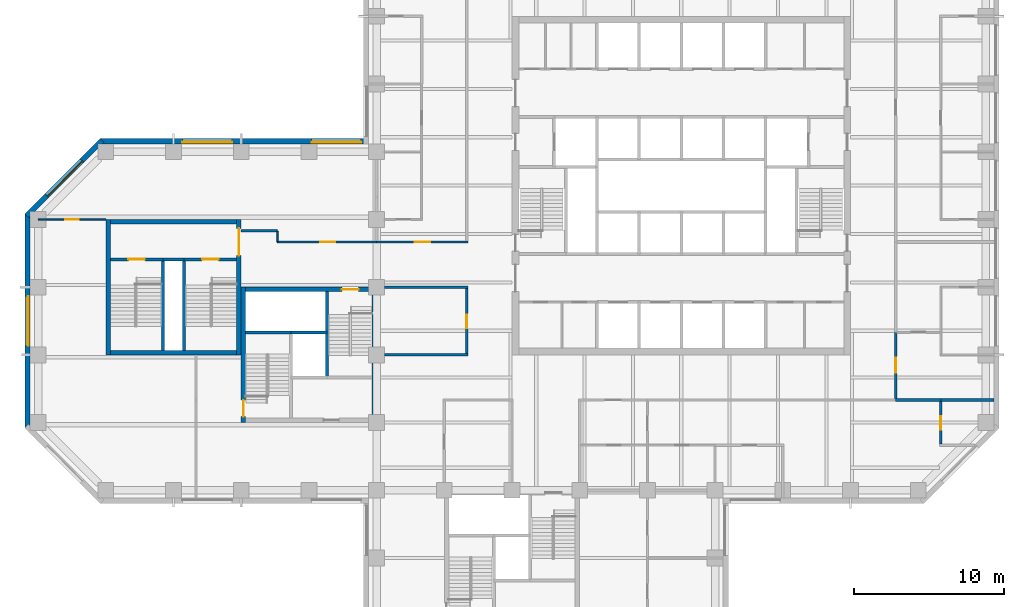
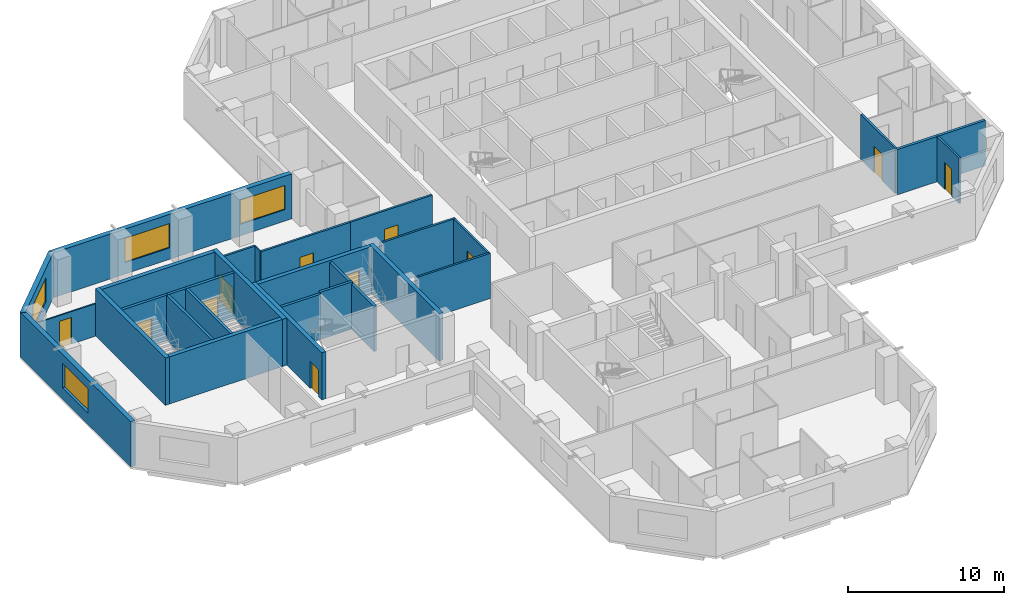
# One storey, part 5 of 11: 30 walls, 11 doors, 4 windows, 15 openings.
"""IFC4 building model written with IfcOpenShell, lengths in metres."""

from ifc_helpers import new_model, si_unit, direction, frame, frame_2d, origin, place, context, subcontext, project, spatial, rectangle, extrude, material, layer, layer_set, constituent, constituent_set, type_object, element, fill, save


model = new_model("IFC4")

# Units and contexts
model_context = context("Model", 3, precision=1e-05, world=origin(), true_north=direction((0.0, 1.0)))
body_context = subcontext(model_context, "Body", "Model", "MODEL_VIEW")
ifc_project = project(units=[si_unit("LENGTHUNIT", "METRE"), si_unit("AREAUNIT", "SQUARE_METRE"), si_unit("VOLUMEUNIT", "CUBIC_METRE"), si_unit("PLANEANGLEUNIT", "RADIAN"), si_unit("MASSUNIT", "GRAM", prefix="KILO")], contexts=[model_context])

# Site, building, storey
site_placement = place(None, origin())
site = spatial("IfcSite", under=ifc_project, at=site_placement, CompositionType="ELEMENT")
building_placement = place(site_placement, origin())
building = spatial("IfcBuilding", under=site, at=building_placement, Name="Quoin Convention Tower", CompositionType="ELEMENT")
storey_placement = place(building_placement, frame((0.0, 0.0, 108.5)))
storey = spatial("IfcBuildingStorey", under=building, at=storey_placement, Name="L28", CompositionType="ELEMENT", Elevation=108.5)

# Wall, openings, windows
ifc_material_1 = material(Name="Brick masonry", Category="masonry")
ifc_layer_1 = layer(ifc_material_1, 0.35009765625)
ifc_layer_set_1 = layer_set([ifc_layer_1], Name="Brick masonry")
wall_type_1 = type_object("IfcWallType", Name="Brick facade wall", PredefinedType="STANDARD", material=ifc_layer_set_1)
wall_1_placement = place(storey_placement, frame((35.47509765625, 63.699951171875, 0.0), z_axis=(0.0, 0.0, 1.0), x_axis=(-1.0, 0.0, 0.0)))
wall_1 = element("IfcWall", 1, at=wall_1_placement, inside=storey, type_object=wall_type_1, Name="fw-L28-36000_63000", PredefinedType="STANDARD", context=body_context, shape_type="SweptSolid", body=[
    extrude(rectangle(XDim=17.83740234375, YDim=0.35009765625, at=frame_2d((8.918701171875, 0.0))), origin(), (0.0, 0.0, 1.0), 3.52490234375),
])
opening_1_placement = place(wall_1_placement, frame((0.5, 0.0, 0.89990234375)))
opening_1 = element("IfcOpeningElement", 2, at=opening_1_placement, cuts=wall_1, Name="Opening W-02", PredefinedType="OPENING", context=body_context, shape_type="SweptSolid", body=[
    extrude(rectangle(XDim=3.300048828125, YDim=1.89990234375, at=frame_2d((1.64990234375, 0.949951171875))), frame((0.0, 0.18505859375, 0.0), z_axis=(0.0, -1.0, 0.0), x_axis=(1.0, 0.0, 0.0)), (0.0, 0.0, 1.0), 0.3701171875),
])
opening_2_placement = place(wall_1_placement, frame((9.074951171875, 0.0, 0.89990234375)))
opening_2 = element("IfcOpeningElement", 3, at=opening_2_placement, cuts=wall_1, Name="Opening W-02", PredefinedType="OPENING", context=body_context, shape_type="SweptSolid", body=[
    extrude(rectangle(XDim=3.300048828125, YDim=1.89990234375, at=frame_2d((1.64990234375, 0.949951171875))), frame((0.0, 0.18505859375, 0.0), z_axis=(0.0, -1.0, 0.0), x_axis=(1.0, 0.0, 0.0)), (0.0, 0.0, 1.0), 0.3701171875),
])
ifc_material_2 = material(Name="Aluminium", Category="aluminium")
ifc_constituent_1 = constituent(ifc_material_2, Name="Frame")
ifc_material_3 = material(Name="Insulated glass", Category="glass")
ifc_constituent_2 = constituent(ifc_material_3, Name="Glazing")
ifc_constituent_set = constituent_set(constituents=[ifc_constituent_1, ifc_constituent_2], Name="Aluminium")
window_type = type_object("IfcWindowType", Name="Office window", PartitioningType="DOUBLE_PANEL_VERTICAL", PredefinedType="WINDOW", material=ifc_constituent_set)
window_1_placement = place(opening_1_placement, origin())
window_1 = element("IfcWindow", 4, at=window_1_placement, inside=storey, type_object=window_type, Name="win-L28-33750_63700", OverallHeight=1.89990234375, OverallWidth=3.300048828125, PartitioningType="SINGLE_PANEL", PredefinedType="WINDOW", context=body_context, shape_type="SweptSolid", body=[
    extrude(rectangle(XDim=3.300048828125, YDim=1.89990234375, at=frame_2d((1.64990234375, 0.949951171875))), frame((0.0, 0.0849609375, 0.0), z_axis=(0.0, -1.0, 0.0), x_axis=(1.0, 0.0, 0.0)), (0.0, 0.0, 1.0), 0.06005859375),
])
fill(opening_1, window_1)
window_2_placement = place(opening_2_placement, origin())
window_2 = element("IfcWindow", 5, at=window_2_placement, inside=storey, type_object=window_type, Name="win-L28-24750_63700", OverallHeight=1.89990234375, OverallWidth=3.300048828125, PartitioningType="SINGLE_PANEL", PredefinedType="WINDOW", context=body_context, shape_type="SweptSolid", body=[
    extrude(rectangle(XDim=3.300048828125, YDim=1.89990234375, at=frame_2d((1.64990234375, 0.949951171875))), frame((0.0, 0.0849609375, 0.0), z_axis=(0.0, -1.0, 0.0), x_axis=(1.0, 0.0, 0.0)), (0.0, 0.0, 1.0), 0.06005859375),
])
fill(opening_2, window_2)

# Wall, opening, window
wall_2_placement = place(storey_placement, frame((17.76123046875, 63.751220703125, 0.0), z_axis=(0.0, 0.0, 1.0), x_axis=(-0.707106781187, -0.707106781187, 0.0)))
wall_2 = element("IfcWall", 6, at=wall_2_placement, inside=storey, type_object=wall_type_1, Name="fw-L28-18000_63000", PredefinedType="STANDARD", context=body_context, shape_type="SweptSolid", body=[
    extrude(rectangle(XDim=7.088623046875, YDim=0.35009765625, at=frame_2d((3.54443359375, 0.0))), origin(), (0.0, 0.0, 1.0), 3.52490234375),
])
opening_3_placement = place(wall_2_placement, frame((1.894287109375, 0.0, 0.89990234375)))
opening_3 = element("IfcOpeningElement", 7, at=opening_3_placement, cuts=wall_2, Name="Opening W-02", PredefinedType="OPENING", context=body_context, shape_type="SweptSolid", body=[
    extrude(rectangle(XDim=3.300048828125, YDim=1.89990234375, at=frame_2d((1.64990234375, 0.949951171875))), frame((0.0, 0.18505859375, 0.0), z_axis=(0.0, -1.0, 0.0), x_axis=(1.0, 0.0, 0.0)), (0.0, 0.0, 1.0), 0.3701171875),
])
window_3_placement = place(opening_3_placement, origin())
window_3 = element("IfcWindow", 8, at=window_3_placement, inside=storey, type_object=window_type, Name="win-L28-15255_61245", OverallHeight=1.89990234375, OverallWidth=3.300048828125, PartitioningType="SINGLE_PANEL", PredefinedType="WINDOW", context=body_context, shape_type="SweptSolid", body=[
    extrude(rectangle(XDim=3.300048828125, YDim=1.89990234375, at=frame_2d((1.64990234375, 0.949951171875))), frame((0.0, 0.0849609375, 0.0), z_axis=(0.0, -1.0, 0.0), x_axis=(1.0, 0.0, 0.0)), (0.0, 0.0, 1.0), 0.06005859375),
])
fill(opening_3, window_3)

wall_3_placement = place(storey_placement, frame((12.800048828125, 58.8623046875, 0.0), z_axis=(0.0, 0.0, 1.0), x_axis=(0.0, -1.0, 0.0)))
wall_3 = element("IfcWall", 9, at=wall_3_placement, inside=storey, type_object=wall_type_1, Name="fw-L28-13500_58500", PredefinedType="STANDARD", context=body_context, shape_type="SweptSolid", body=[
    extrude(rectangle(XDim=14.224609375, YDim=0.35009765625, at=frame_2d((7.1123046875, 0.0))), origin(), (0.0, 0.0, 1.0), 3.52490234375),
])
opening_4_placement = place(wall_3_placement, frame((5.46240234375, 0.0, 0.89990234375)))
opening_4 = element("IfcOpeningElement", 10, at=opening_4_placement, cuts=wall_3, Name="Opening W-02", PredefinedType="OPENING", context=body_context, shape_type="SweptSolid", body=[
    extrude(rectangle(XDim=3.300048828125, YDim=1.89990234375, at=frame_2d((1.64990234375, 0.949951171875))), frame((0.0, 0.18505859375, 0.0), z_axis=(0.0, -1.0, 0.0), x_axis=(1.0, 0.0, 0.0)), (0.0, 0.0, 1.0), 0.3701171875),
])
window_4_placement = place(opening_4_placement, origin())
window_4 = element("IfcWindow", 11, at=window_4_placement, inside=storey, type_object=window_type, Name="win-L28-12800_51750", OverallHeight=1.89990234375, OverallWidth=3.300048828125, PartitioningType="SINGLE_PANEL", PredefinedType="WINDOW", context=body_context, shape_type="SweptSolid", body=[
    extrude(rectangle(XDim=3.300048828125, YDim=1.89990234375, at=frame_2d((1.64990234375, 0.949951171875))), frame((0.0, 0.0849609375, 0.0), z_axis=(0.0, -1.0, 0.0), x_axis=(1.0, 0.0, 0.0)), (0.0, 0.0, 1.0), 0.06005859375),
])
fill(opening_4, window_4)

# Walls
ifc_material_4 = material(Name="Concrete C50", Category="concrete")
ifc_layer_2 = layer(ifc_material_4, 0.199951171875)
ifc_layer_set_2 = layer_set([ifc_layer_2], Name="Concrete C50")
wall_type_2 = type_object("IfcWallType", Name="Core shaft wall", PredefinedType="SOLIDWALL", material=ifc_layer_set_2)
wall_4_placement = place(storey_placement, frame((27.300048828125, 51.0, 0.0), z_axis=(0.0, 0.0, 1.0), x_axis=(1.0, 0.0, 0.0)))
element("IfcWall", 12, at=wall_4_placement, inside=storey, type_object=wall_type_2, Name="cr-P2-L28-h6000_300", PredefinedType="SOLIDWALL", context=body_context, shape_type="SweptSolid", body=[
    extrude(rectangle(XDim=3.0, YDim=0.199951171875, at=frame_2d((1.5, 0.0))), origin(), (0.0, 0.0, 1.0), 3.550048828125),
])
wall_5_placement = place(storey_placement, frame((32.699951171875, 48.0, 0.0), z_axis=(0.0, 0.0, 1.0), x_axis=(0.0, 1.0, 0.0)))
element("IfcWall", 13, at=wall_5_placement, inside=storey, type_object=wall_type_2, Name="cr-P2-L28-v5700_3000", PredefinedType="SOLIDWALL", context=body_context, shape_type="SweptSolid", body=[
    extrude(rectangle(XDim=5.699951171875, YDim=0.199951171875, at=frame_2d((2.85009765625, 0.0))), origin(), (0.0, 0.0, 1.0), 3.550048828125),
])
wall_6_placement = place(storey_placement, frame((21.800048828125, 55.85009765625, 0.0), z_axis=(0.0, 0.0, 1.0), x_axis=(1.0, 0.0, 0.0)))
element("IfcWall", 14, at=wall_6_placement, inside=storey, type_object=wall_type_2, Name="cr-P6-L28-h6350_3800", PredefinedType="SOLIDWALL", context=body_context, shape_type="SweptSolid", body=[
    extrude(rectangle(XDim=1.39990234375, YDim=0.199951171875, at=frame_2d((0.699951171875, 0.0))), origin(), (0.0, 0.0, 1.0), 3.550048828125),
])

# Wall, opening, door
wall_7_placement = place(storey_placement, frame((18.300048828125, 55.85009765625, 0.0), z_axis=(0.0, 0.0, 1.0), x_axis=(1.0, 0.0, 0.0)))
wall_7 = element("IfcWall", 15, at=wall_7_placement, inside=storey, type_object=wall_type_2, Name="cr-P6-L28-h6350_300", PredefinedType="SOLIDWALL", context=body_context, shape_type="SweptSolid", body=[
    extrude(rectangle(XDim=3.5, YDim=0.199951171875, at=frame_2d((1.75, 0.0))), origin(), (0.0, 0.0, 1.0), 3.550048828125),
])
opening_5_placement = place(wall_7_placement, frame((1.199951171875, 0.0, 0.0)))
opening_5 = element("IfcOpeningElement", 16, at=opening_5_placement, cuts=wall_7, Name="Opening SD11", PredefinedType="OPENING", context=body_context, shape_type="SweptSolid", body=[
    extrude(rectangle(XDim=1.10009765625, YDim=2.10009765625, at=frame_2d((0.550048828125, 1.050048828125))), frame((0.0, 0.10986328125, 0.0), z_axis=(0.0, -1.0, 0.0), x_axis=(1.0, 0.0, 0.0)), (0.0, 0.0, 1.0), 0.219970703125),
])
ifc_material_5 = material(Name="Steel door leaf", Category="steel")
door_type_1 = type_object("IfcDoorType", Name="Stair door 1100 x 2100", OperationType="SINGLE_SWING_RIGHT", PredefinedType="DOOR", material=ifc_material_5)
door_1_placement = place(opening_5_placement, origin())
door_1 = element("IfcDoor", 17, at=door_1_placement, inside=storey, type_object=door_type_1, Name="cd-P6-L28-SA-R2-SD11", OperationType="SINGLE_SWING_RIGHT", OverallHeight=2.10009765625, OverallWidth=1.10009765625, PredefinedType="DOOR", context=body_context, shape_type="SweptSolid", body=[
    extrude(rectangle(XDim=1.10009765625, YDim=2.10009765625, at=frame_2d((0.550048828125, 1.050048828125))), frame((0.0, 0.02490234375, 0.0), z_axis=(0.0, -1.0, 0.0), x_axis=(1.0, 0.0, 0.0)), (0.0, 0.0, 1.0), 0.050048828125),
])
fill(opening_5, door_1)

wall_8_placement = place(storey_placement, frame((23.199951171875, 55.85009765625, 0.0), z_axis=(0.0, 0.0, 1.0), x_axis=(1.0, 0.0, 0.0)))
wall_8 = element("IfcWall", 18, at=wall_8_placement, inside=storey, type_object=wall_type_2, Name="cr-P6-L28-h6350_5200", PredefinedType="SOLIDWALL", context=body_context, shape_type="SweptSolid", body=[
    extrude(rectangle(XDim=3.5, YDim=0.199951171875, at=frame_2d((1.75, 0.0))), origin(), (0.0, 0.0, 1.0), 3.550048828125),
])
opening_6_placement = place(wall_8_placement, frame((1.199951171875, 0.0, 0.0)))
opening_6 = element("IfcOpeningElement", 19, at=opening_6_placement, cuts=wall_8, Name="Opening SD12", PredefinedType="OPENING", context=body_context, shape_type="SweptSolid", body=[
    extrude(rectangle(XDim=1.10009765625, YDim=2.10009765625, at=frame_2d((0.550048828125, 1.050048828125))), frame((0.0, 0.10986328125, 0.0), z_axis=(0.0, -1.0, 0.0), x_axis=(1.0, 0.0, 0.0)), (0.0, 0.0, 1.0), 0.219970703125),
])
door_2_placement = place(opening_6_placement, origin())
door_2 = element("IfcDoor", 20, at=door_2_placement, inside=storey, type_object=door_type_1, Name="cd-P6-L28-SB-R2-SD12", OperationType="SINGLE_SWING_RIGHT", OverallHeight=2.10009765625, OverallWidth=1.10009765625, PredefinedType="DOOR", context=body_context, shape_type="SweptSolid", body=[
    extrude(rectangle(XDim=1.10009765625, YDim=2.10009765625, at=frame_2d((0.550048828125, 1.050048828125))), frame((0.0, 0.02490234375, 0.0), z_axis=(0.0, -1.0, 0.0), x_axis=(1.0, 0.0, 0.0)), (0.0, 0.0, 1.0), 0.050048828125),
])
fill(opening_6, door_2)

# Walls
for number, where, z_axis, x_axis, name in (
    (21, (21.800048828125, 49.800048828125, 0.0), (0.0, 0.0, 1.0), (0.0, 1.0, 0.0), "cr-P6-L28-v3800_300"),
    (22, (23.199951171875, 49.800048828125, 0.0), (0.0, 0.0, 1.0), (0.0, 1.0, 0.0), "cr-P6-L28-v5200_300"),
):
    element("IfcWall", number, at=place(storey_placement, frame(where, z_axis=z_axis, x_axis=x_axis)), inside=storey, type_object=wall_type_2, Name=name, PredefinedType="SOLIDWALL", context=body_context, shape_type="SweptSolid", body=[
        extrude(rectangle(XDim=6.050048828125, YDim=0.199951171875, at=frame_2d((3.02490234375, 0.0))), origin(), (0.0, 0.0, 1.0), 3.550048828125),
    ])
ifc_layer_3 = layer(ifc_material_4, 0.199951171875)
ifc_layer_set_3 = layer_set([ifc_layer_3], Name="Concrete C50")
wall_type_3 = type_object("IfcWallType", Name="Core shaft wall to the floor level over", PredefinedType="SOLIDWALL", material=ifc_layer_set_3)
wall_9_placement = place(storey_placement, frame((30.300048828125, 51.0, 0.0), z_axis=(0.0, 0.0, 1.0), x_axis=(1.0, 0.0, 0.0)))
element("IfcWall", 23, at=wall_9_placement, inside=storey, type_object=wall_type_3, Name="cr-P2-L28-h6000_3300", PredefinedType="SOLIDWALL", context=body_context, shape_type="SweptSolid", body=[
    extrude(rectangle(XDim=2.39990234375, YDim=0.199951171875, at=frame_2d((1.199951171875, 0.0))), origin(), (0.0, 0.0, 1.0), 3.699951171875),
])
ifc_material_6 = material(Name="Plasterboard")
ifc_layer_4 = layer(ifc_material_6, 0.012451171875, Name="Finish")
ifc_material_7 = material(Name="Steel stud framing", Category="steel")
ifc_layer_5 = layer(ifc_material_7, 0.125, Name="Structure")
ifc_layer_6 = layer(ifc_material_6, 0.012451171875, Name="Finish")
ifc_layer_set_4 = layer_set([ifc_layer_4, ifc_layer_5, ifc_layer_6], Name="Steel stud framing")
wall_type_4 = type_object("IfcWallType", Name="Corridor wall 150", PredefinedType="PARTITIONING", material=ifc_layer_set_4)
for number, where, z_axis, x_axis, name in (
    (24, (36.52490234375, 49.5, 0.0), (0.0, 0.0, 1.0), (1.0, 0.0, 0.0), "pw-L28-026"),
    (25, (36.52490234375, 54.0, 0.0), (0.0, 0.0, 1.0), (1.0, 0.0, 0.0), "pw-L28-031"),
):
    element("IfcWall", number, at=place(storey_placement, frame(where, z_axis=z_axis, x_axis=x_axis)), inside=storey, type_object=wall_type_4, Name=name, PredefinedType="PARTITIONING", context=body_context, shape_type="SweptSolid", body=[
        extrude(rectangle(XDim=5.550048828125, YDim=0.14990234375, at=frame_2d((2.77490234375, 0.0))), origin(), (0.0, 0.0, 1.0), 3.550048828125),
    ])

# Wall, opening, door
wall_10_placement = place(storey_placement, frame((29.3798828125, 57.0, 0.0), z_axis=(0.0, 0.0, 1.0), x_axis=(1.0, 0.0, 0.0)))
wall_10 = element("IfcWall", 26, at=wall_10_placement, inside=storey, type_object=wall_type_4, Name="pw-L28-034", PredefinedType="PARTITIONING", context=body_context, shape_type="SweptSolid", body=[
    extrude(rectangle(XDim=6.6201171875, YDim=0.14990234375, at=frame_2d((3.31005859375, 0.0))), origin(), (0.0, 0.0, 1.0), 3.550048828125),
])
opening_7_placement = place(wall_10_placement, frame((2.8798828125, 0.0, 0.0)))
opening_7 = element("IfcOpeningElement", 27, at=opening_7_placement, cuts=wall_10, Name="Opening DOL5-11", PredefinedType="OPENING", context=body_context, shape_type="SweptSolid", body=[
    extrude(rectangle(XDim=1.0, YDim=2.10009765625, at=frame_2d((0.5, 1.050048828125))), frame((0.0, 0.0849609375, 0.0), z_axis=(0.0, -1.0, 0.0), x_axis=(1.0, 0.0, 0.0)), (0.0, 0.0, 1.0), 0.169921875),
])
door_type_2 = type_object("IfcDoorType", Name="Tenancy entrance door 1000 x 2100", OperationType="DOUBLE_DOOR_SINGLE_SWING", PredefinedType="DOOR", material=ifc_material_5)
door_3_placement = place(opening_7_placement, origin())
door_3 = element("IfcDoor", 28, at=door_3_placement, inside=storey, type_object=door_type_2, Name="dr-L28-w01", OperationType="DOUBLE_DOOR_SINGLE_SWING", OverallHeight=2.10009765625, OverallWidth=1.0, PredefinedType="DOOR", context=body_context, shape_type="SweptSolid", body=[
    extrude(rectangle(XDim=1.0, YDim=2.10009765625, at=frame_2d((0.5, 1.050048828125))), frame((0.0, 0.02490234375, 0.0), z_axis=(0.0, -1.0, 0.0), x_axis=(1.0, 0.0, 0.0)), (0.0, 0.0, 1.0), 0.050048828125),
])
fill(opening_7, door_3)

wall_11_placement = place(storey_placement, frame((36.0, 57.0, 0.0), z_axis=(0.0, 0.0, 1.0), x_axis=(1.0, 0.0, 0.0)))
wall_11 = element("IfcWall", 29, at=wall_11_placement, inside=storey, type_object=wall_type_4, Name="pw-L28-035", PredefinedType="PARTITIONING", context=body_context, shape_type="SweptSolid", body=[
    extrude(rectangle(XDim=6.074951171875, YDim=0.14990234375, at=frame_2d((3.03759765625, 0.0))), origin(), (0.0, 0.0, 1.0), 3.550048828125),
])
opening_8_placement = place(wall_11_placement, frame((2.550048828125, 0.0, 0.0)))
opening_8 = element("IfcOpeningElement", 30, at=opening_8_placement, cuts=wall_11, Name="Opening DOL5-12", PredefinedType="OPENING", context=body_context, shape_type="SweptSolid", body=[
    extrude(rectangle(XDim=1.0, YDim=2.10009765625, at=frame_2d((0.5, 1.050048828125))), frame((0.0, 0.0849609375, 0.0), z_axis=(0.0, -1.0, 0.0), x_axis=(1.0, 0.0, 0.0)), (0.0, 0.0, 1.0), 0.169921875),
])
door_4_placement = place(opening_8_placement, origin())
door_4 = element("IfcDoor", 31, at=door_4_placement, inside=storey, type_object=door_type_2, Name="dr-L28-38", OperationType="DOUBLE_DOOR_SINGLE_SWING", OverallHeight=2.10009765625, OverallWidth=1.0, PredefinedType="DOOR", context=body_context, shape_type="SweptSolid", body=[
    extrude(rectangle(XDim=1.0, YDim=2.10009765625, at=frame_2d((0.5, 1.050048828125))), frame((0.0, 0.02490234375, 0.0), z_axis=(0.0, -1.0, 0.0), x_axis=(1.0, 0.0, 0.0)), (0.0, 0.0, 1.0), 0.050048828125),
])
fill(opening_8, door_4)

wall_12_placement = place(storey_placement, frame((70.5, 46.60009765625, 0.0), z_axis=(0.0, 0.0, 1.0), x_axis=(0.0, 1.0, 0.0)))
wall_12 = element("IfcWall", 32, at=wall_12_placement, inside=storey, type_object=wall_type_4, Name="pw-L28-085", PredefinedType="PARTITIONING", context=body_context, shape_type="SweptSolid", body=[
    extrude(rectangle(XDim=4.39990234375, YDim=0.14990234375, at=frame_2d((2.199951171875, 0.0))), origin(), (0.0, 0.0, 1.0), 3.550048828125),
])
opening_9_placement = place(wall_12_placement, frame((1.699951171875, 0.0, 0.0)))
opening_9 = element("IfcOpeningElement", 33, at=opening_9_placement, cuts=wall_12, Name="Opening DOL5-31", PredefinedType="OPENING", context=body_context, shape_type="SweptSolid", body=[
    extrude(rectangle(XDim=1.0, YDim=2.10009765625, at=frame_2d((0.5, 1.050048828125))), frame((0.0, 0.0849609375, 0.0), z_axis=(0.0, -1.0, 0.0), x_axis=(1.0, 0.0, 0.0)), (0.0, 0.0, 1.0), 0.169921875),
])
door_5_placement = place(opening_9_placement, frame((1.0, 0.0, 0.0), z_axis=(0.0, 0.0, 1.0), x_axis=(-1.0, 0.0, 0.0)))
door_5 = element("IfcDoor", 34, at=door_5_placement, inside=storey, type_object=door_type_2, Name="dr-L28-28", OperationType="DOUBLE_DOOR_SINGLE_SWING", OverallHeight=2.10009765625, OverallWidth=1.0, PredefinedType="DOOR", context=body_context, shape_type="SweptSolid", body=[
    extrude(rectangle(XDim=1.0, YDim=2.10009765625, at=frame_2d((0.5, 1.050048828125))), frame((0.0, 0.02490234375, 0.0), z_axis=(0.0, -1.0, 0.0), x_axis=(1.0, 0.0, 0.0)), (0.0, 0.0, 1.0), 0.050048828125),
])
fill(opening_9, door_5)

wall_13_placement = place(storey_placement, frame((42.0, 49.574951171875, 0.0), z_axis=(0.0, 0.0, 1.0), x_axis=(0.0, 1.0, 0.0)))
wall_13 = element("IfcWall", 35, at=wall_13_placement, inside=storey, type_object=wall_type_4, Name="pw-L28-088", PredefinedType="PARTITIONING", context=body_context, shape_type="SweptSolid", body=[
    extrude(rectangle(XDim=4.35009765625, YDim=0.14990234375, at=frame_2d((2.175048828125, 0.0))), origin(), (0.0, 0.0, 1.0), 3.550048828125),
])
opening_10_placement = place(wall_13_placement, frame((1.699951171875, 0.0, 0.0)))
opening_10 = element("IfcOpeningElement", 36, at=opening_10_placement, cuts=wall_13, Name="Opening DOL5-32", PredefinedType="OPENING", context=body_context, shape_type="SweptSolid", body=[
    extrude(rectangle(XDim=0.89990234375, YDim=2.10009765625, at=frame_2d((0.449951171875, 1.050048828125))), frame((0.0, 0.0849609375, 0.0), z_axis=(0.0, -1.0, 0.0), x_axis=(1.0, 0.0, 0.0)), (0.0, 0.0, 1.0), 0.169921875),
])
door_type_3 = type_object("IfcDoorType", Name="Office door 900 x 2100", OperationType="SINGLE_SWING_RIGHT", PredefinedType="DOOR", material=ifc_material_5)
door_6_placement = place(opening_10_placement, origin())
door_6 = element("IfcDoor", 37, at=door_6_placement, inside=storey, type_object=door_type_3, Name="dr-L28-01", OperationType="SINGLE_SWING_RIGHT", OverallHeight=2.10009765625, OverallWidth=0.89990234375, PredefinedType="DOOR", context=body_context, shape_type="SweptSolid", body=[
    extrude(rectangle(XDim=0.89990234375, YDim=2.10009765625, at=frame_2d((0.449951171875, 1.050048828125))), frame((0.0, 0.02490234375, 0.0), z_axis=(0.0, -1.0, 0.0), x_axis=(1.0, 0.0, 0.0)), (0.0, 0.0, 1.0), 0.050048828125),
])
fill(opening_10, door_6)

# Wall
wall_14_placement = place(storey_placement, frame((27.0, 57.75, 0.0), z_axis=(0.0, 0.0, 1.0), x_axis=(1.0, 0.0, 0.0)))
element("IfcWall", 38, at=wall_14_placement, inside=storey, type_object=wall_type_4, Name="pw-L28-w02", PredefinedType="PARTITIONING", context=body_context, shape_type="SweptSolid", body=[
    extrude(rectangle(XDim=2.39990234375, YDim=0.14990234375, at=frame_2d((1.199951171875, 0.0))), origin(), (0.0, 0.0, 1.0), 3.550048828125),
])

# Wall, opening, door
ifc_material_8 = material(Name="Concrete C65", Category="concrete")
ifc_layer_7 = layer(ifc_material_8, 0.300048828125)
ifc_layer_set_5 = layer_set([ifc_layer_7], Name="Concrete C65")
wall_type_5 = type_object("IfcWallType", Name="RC CORE WALL 300 C65", PredefinedType="SHEAR", material=ifc_layer_set_5)
wall_15_placement = place(storey_placement, frame((27.300048828125, 53.85009765625, 0.0), z_axis=(0.0, 0.0, 1.0), x_axis=(1.0, 0.0, 0.0)))
wall_15 = element("IfcWall", 39, at=wall_15_placement, inside=storey, type_object=wall_type_5, Name="cwl-P2-L28-N", PredefinedType="SHEAR", context=body_context, shape_type="SweptSolid", body=[
    extrude(rectangle(XDim=8.39990234375, YDim=0.300048828125, at=frame_2d((4.199951171875, 0.0))), origin(), (0.0, 0.0, 1.0), 3.699951171875),
])
opening_11_placement = place(wall_15_placement, frame((6.39990234375, 0.0, 0.0)))
opening_11 = element("IfcOpeningElement", 40, at=opening_11_placement, cuts=wall_15, Name="Opening SD4", PredefinedType="OPENING", context=body_context, shape_type="SweptSolid", body=[
    extrude(rectangle(XDim=1.10009765625, YDim=2.10009765625, at=frame_2d((0.550048828125, 1.050048828125))), frame((0.0, 0.159912109375, 0.0), z_axis=(0.0, -1.0, 0.0), x_axis=(1.0, 0.0, 0.0)), (0.0, 0.0, 1.0), 0.320068359375),
])
door_7_placement = place(opening_11_placement, frame((1.10009765625, 0.0, 0.0), z_axis=(0.0, 0.0, 1.0), x_axis=(-1.0, 0.0, 0.0)))
door_7 = element("IfcDoor", 41, at=door_7_placement, inside=storey, type_object=door_type_1, Name="cd-P2-L28-SB-N", OperationType="SINGLE_SWING_LEFT", OverallHeight=2.10009765625, OverallWidth=1.10009765625, PredefinedType="DOOR", context=body_context, shape_type="SweptSolid", body=[
    extrude(rectangle(XDim=1.10009765625, YDim=2.10009765625, at=frame_2d((0.550048828125, 1.050048828125))), frame((0.0, 0.02490234375, 0.0), z_axis=(0.0, -1.0, 0.0), x_axis=(1.0, 0.0, 0.0)), (0.0, 0.0, 1.0), 0.050048828125),
])
fill(opening_11, door_7)

wall_16_placement = place(storey_placement, frame((27.14990234375, 45.0, 0.0), z_axis=(0.0, 0.0, 1.0), x_axis=(0.0, 1.0, 0.0)))
wall_16 = element("IfcWall", 42, at=wall_16_placement, inside=storey, type_object=wall_type_5, Name="cwl-P2-L28-W", PredefinedType="SHEAR", context=body_context, shape_type="SweptSolid", body=[
    extrude(rectangle(XDim=9.0, YDim=0.300048828125, at=frame_2d((4.5, 0.0))), origin(), (0.0, 0.0, 1.0), 3.699951171875),
])
opening_12_placement = place(wall_16_placement, frame((0.39990234375, 0.0, 0.0)))
opening_12 = element("IfcOpeningElement", 43, at=opening_12_placement, cuts=wall_16, Name="Opening SD3", PredefinedType="OPENING", context=body_context, shape_type="SweptSolid", body=[
    extrude(rectangle(XDim=1.10009765625, YDim=2.10009765625, at=frame_2d((0.550048828125, 1.050048828125))), frame((0.0, 0.159912109375, 0.0), z_axis=(0.0, -1.0, 0.0), x_axis=(1.0, 0.0, 0.0)), (0.0, 0.0, 1.0), 0.320068359375),
])
door_8_placement = place(opening_12_placement, frame((1.10009765625, 0.0, 0.0), z_axis=(0.0, 0.0, 1.0), x_axis=(-1.0, 0.0, 0.0)))
door_8 = element("IfcDoor", 44, at=door_8_placement, inside=storey, type_object=door_type_1, Name="cd-P2-L28-SA-W", OperationType="SINGLE_SWING_RIGHT", OverallHeight=2.10009765625, OverallWidth=1.10009765625, PredefinedType="DOOR", context=body_context, shape_type="SweptSolid", body=[
    extrude(rectangle(XDim=1.10009765625, YDim=2.10009765625, at=frame_2d((0.550048828125, 1.050048828125))), frame((0.0, 0.02490234375, 0.0), z_axis=(0.0, -1.0, 0.0), x_axis=(1.0, 0.0, 0.0)), (0.0, 0.0, 1.0), 0.050048828125),
])
fill(opening_12, door_8)

# Walls
wall_17_placement = place(storey_placement, frame((35.85009765625, 45.0, 0.0), z_axis=(0.0, 0.0, 1.0), x_axis=(0.0, 1.0, 0.0)))
element("IfcWall", 45, at=wall_17_placement, inside=storey, type_object=wall_type_5, Name="cwl-P2-L28-E", PredefinedType="SHEAR", context=body_context, shape_type="SweptSolid", body=[
    extrude(rectangle(XDim=9.0, YDim=0.300048828125, at=frame_2d((4.5, 0.0))), origin(), (0.0, 0.0, 1.0), 3.699951171875),
])
for number, where, z_axis, x_axis, name in (
    (46, (18.300048828125, 49.64990234375, 0.0), (0.0, 0.0, 1.0), (1.0, 0.0, 0.0), "cwl-P6-L28-S"),
    (47, (18.300048828125, 58.35009765625, 0.0), (0.0, 0.0, 1.0), (1.0, 0.0, 0.0), "cwl-P6-L28-N"),
):
    element("IfcWall", number, at=place(storey_placement, frame(where, z_axis=z_axis, x_axis=x_axis)), inside=storey, type_object=wall_type_5, Name=name, PredefinedType="SHEAR", context=body_context, shape_type="SweptSolid", body=[
        extrude(rectangle(XDim=8.39990234375, YDim=0.300048828125, at=frame_2d((4.199951171875, 0.0))), origin(), (0.0, 0.0, 1.0), 3.699951171875),
    ])
wall_18_placement = place(storey_placement, frame((18.14990234375, 49.5, 0.0), z_axis=(0.0, 0.0, 1.0), x_axis=(0.0, 1.0, 0.0)))
element("IfcWall", 48, at=wall_18_placement, inside=storey, type_object=wall_type_5, Name="cwl-P6-L28-W", PredefinedType="SHEAR", context=body_context, shape_type="SweptSolid", body=[
    extrude(rectangle(XDim=9.0, YDim=0.300048828125, at=frame_2d((4.5, 0.0))), origin(), (0.0, 0.0, 1.0), 3.699951171875),
])

# Wall, opening, door
wall_19_placement = place(storey_placement, frame((26.85009765625, 49.5, 0.0), z_axis=(0.0, 0.0, 1.0), x_axis=(0.0, 1.0, 0.0)))
wall_19 = element("IfcWall", 49, at=wall_19_placement, inside=storey, type_object=wall_type_5, Name="cwl-P6-L28-E", PredefinedType="SHEAR", context=body_context, shape_type="SweptSolid", body=[
    extrude(rectangle(XDim=9.0, YDim=0.300048828125, at=frame_2d((4.5, 0.0))), origin(), (0.0, 0.0, 1.0), 3.699951171875),
])
opening_13_placement = place(wall_19_placement, frame((6.60009765625, 0.0, 0.0)))
opening_13 = element("IfcOpeningElement", 50, at=opening_13_placement, cuts=wall_19, Name="Opening DCV4-45", PredefinedType="OPENING", context=body_context, shape_type="SweptSolid", body=[
    extrude(rectangle(XDim=1.800048828125, YDim=2.10009765625, at=frame_2d((0.89990234375, 1.050048828125))), frame((0.0, 0.159912109375, 0.0), z_axis=(0.0, -1.0, 0.0), x_axis=(1.0, 0.0, 0.0)), (0.0, 0.0, 1.0), 0.320068359375),
])
door_type_4 = type_object("IfcDoorType", Name="Goods lobby door 1800 x 2100", OperationType="SINGLE_SWING_LEFT", PredefinedType="DOOR", material=ifc_material_5)
door_9_placement = place(opening_13_placement, origin())
door_9 = element("IfcDoor", 51, at=door_9_placement, inside=storey, type_object=door_type_4, Name="cd-P6-L28-R2-E", OperationType="SINGLE_SWING_LEFT", OverallHeight=2.10009765625, OverallWidth=1.800048828125, PredefinedType="DOOR", context=body_context, shape_type="SweptSolid", body=[
    extrude(rectangle(XDim=1.800048828125, YDim=2.10009765625, at=frame_2d((0.89990234375, 1.050048828125))), frame((0.0, 0.02490234375, 0.0), z_axis=(0.0, -1.0, 0.0), x_axis=(1.0, 0.0, 0.0)), (0.0, 0.0, 1.0), 0.050048828125),
])
fill(opening_13, door_9)

# Wall
ifc_layer_8 = layer(ifc_material_6, 0.012451171875, Name="Finish")
ifc_layer_9 = layer(ifc_material_7, 0.074951171875, Name="Structure")
ifc_layer_10 = layer(ifc_material_6, 0.012451171875, Name="Finish")
ifc_layer_set_6 = layer_set([ifc_layer_8, ifc_layer_9, ifc_layer_10], Name="Steel stud framing")
wall_type_6 = type_object("IfcWallType", Name="Stud partition 100", PredefinedType="PARTITIONING", material=ifc_layer_set_6)
wall_20_placement = place(storey_placement, frame((29.39990234375, 57.715087890625, 0.0), z_axis=(0.0, 0.0, 1.0), x_axis=(0.0, -1.0, 0.0)))
element("IfcWall", 52, at=wall_20_placement, inside=storey, type_object=wall_type_6, Name="pw-L28-w03", PredefinedType="PARTITIONING", context=body_context, shape_type="SweptSolid", body=[
    extrude(rectangle(XDim=0.68017578125, YDim=0.10009765625, at=frame_2d((0.340087890625, 0.0))), origin(), (0.0, 0.0, 1.0), 3.550048828125),
])

# Wall, opening, door
ifc_layer_11 = layer(ifc_material_6, 0.012451171875, Name="Finish")
ifc_layer_12 = layer(ifc_material_7, 0.074951171875, Name="Structure")
ifc_layer_13 = layer(ifc_material_6, 0.012451171875, Name="Finish")
ifc_layer_set_7 = layer_set([ifc_layer_11, ifc_layer_12, ifc_layer_13], Name="Steel stud framing")
wall_type_7 = type_object("IfcWallType", Name="Stud partition 100 under beam 1000", PredefinedType="PARTITIONING", material=ifc_layer_set_7)
wall_21_placement = place(storey_placement, frame((13.5, 58.5, 0.0), z_axis=(0.0, 0.0, 1.0), x_axis=(1.0, 0.0, 0.0)))
wall_21 = element("IfcWall", 53, at=wall_21_placement, inside=storey, type_object=wall_type_7, Name="pw-L28-w01", PredefinedType="PARTITIONING", context=body_context, shape_type="SweptSolid", body=[
    extrude(rectangle(XDim=4.5, YDim=0.10009765625, at=frame_2d((2.25, 0.0))), origin(), (0.0, 0.0, 1.0), 2.550048828125),
])
opening_14_placement = place(wall_21_placement, frame((1.800048828125, 0.0, 0.0)))
opening_14 = element("IfcOpeningElement", 54, at=opening_14_placement, cuts=wall_21, Name="Opening DOL5-39", PredefinedType="OPENING", context=body_context, shape_type="SweptSolid", body=[
    extrude(rectangle(XDim=0.89990234375, YDim=2.10009765625, at=frame_2d((0.449951171875, 1.050048828125))), frame((0.0, 0.06005859375, 0.0), z_axis=(0.0, -1.0, 0.0), x_axis=(1.0, 0.0, 0.0)), (0.0, 0.0, 1.0), 0.1201171875),
])
door_10_placement = place(opening_14_placement, frame((0.89990234375, 0.0, 0.0), z_axis=(0.0, 0.0, 1.0), x_axis=(-1.0, 0.0, 0.0)))
door_10 = element("IfcDoor", 55, at=door_10_placement, inside=storey, type_object=door_type_3, Name="dr-L28-w02", OperationType="SINGLE_SWING_LEFT", OverallHeight=2.10009765625, OverallWidth=0.89990234375, PredefinedType="DOOR", context=body_context, shape_type="SweptSolid", body=[
    extrude(rectangle(XDim=0.89990234375, YDim=2.10009765625, at=frame_2d((0.449951171875, 1.050048828125))), frame((0.0, 0.02490234375, 0.0), z_axis=(0.0, -1.0, 0.0), x_axis=(1.0, 0.0, 0.0)), (0.0, 0.0, 1.0), 0.050048828125),
])
fill(opening_14, door_10)

# Walls
ifc_layer_14 = layer(ifc_material_6, 0.012451171875, Name="Finish")
ifc_layer_15 = layer(ifc_material_7, 0.175048828125, Name="Structure")
ifc_layer_16 = layer(ifc_material_6, 0.012451171875, Name="Finish")
ifc_layer_set_8 = layer_set([ifc_layer_14, ifc_layer_15, ifc_layer_16], Name="Steel stud framing")
wall_type_8 = type_object("IfcWallType", Name="Tenancy demising wall 200", PredefinedType="PARTITIONING", material=ifc_layer_set_8)
wall_22_placement = place(storey_placement, frame((70.5, 46.5, 0.0), z_axis=(0.0, 0.0, 1.0), x_axis=(1.0, 0.0, 0.0)))
element("IfcWall", 56, at=wall_22_placement, inside=storey, type_object=wall_type_8, Name="pw-L28-023", PredefinedType="PARTITIONING", context=body_context, shape_type="SweptSolid", body=[
    extrude(rectangle(XDim=3.0, YDim=0.199951171875, at=frame_2d((1.5, 0.0))), origin(), (0.0, 0.0, 1.0), 3.550048828125),
])
wall_23_placement = place(storey_placement, frame((73.5, 46.5, 0.0), z_axis=(0.0, 0.0, 1.0), x_axis=(1.0, 0.0, 0.0)))
element("IfcWall", 57, at=wall_23_placement, inside=storey, type_object=wall_type_8, Name="pw-L28-024", PredefinedType="PARTITIONING", context=body_context, shape_type="SweptSolid", body=[
    extrude(rectangle(XDim=3.52490234375, YDim=0.199951171875, at=frame_2d((1.762451171875, 0.0))), origin(), (0.0, 0.0, 1.0), 3.550048828125),
])

# Wall, opening, door
ifc_layer_17 = layer(ifc_material_6, 0.012451171875, Name="Finish")
ifc_layer_18 = layer(ifc_material_7, 0.125, Name="Structure")
ifc_layer_19 = layer(ifc_material_6, 0.012451171875, Name="Finish")
ifc_layer_set_9 = layer_set([ifc_layer_17, ifc_layer_18, ifc_layer_19], Name="Steel stud framing")
wall_type_9 = type_object("IfcWallType", Name="Wet area partition 150", PredefinedType="PARTITIONING", material=ifc_layer_set_9)
wall_24_placement = place(storey_placement, frame((73.5, 43.574951171875, 0.0), z_axis=(0.0, 0.0, 1.0), x_axis=(0.0, 1.0, 0.0)))
wall_24 = element("IfcWall", 58, at=wall_24_placement, inside=storey, type_object=wall_type_9, Name="pw-L28-080", PredefinedType="PARTITIONING", context=body_context, shape_type="SweptSolid", body=[
    extrude(rectangle(XDim=2.824951171875, YDim=0.14990234375, at=frame_2d((1.41259765625, 0.0))), origin(), (0.0, 0.0, 1.0), 3.550048828125),
])
opening_15_placement = place(wall_24_placement, frame((0.949951171875, 0.0, 0.0)))
opening_15 = element("IfcOpeningElement", 59, at=opening_15_placement, cuts=wall_24, Name="Opening DOL5-30", PredefinedType="OPENING", context=body_context, shape_type="SweptSolid", body=[
    extrude(rectangle(XDim=0.89990234375, YDim=2.10009765625, at=frame_2d((0.449951171875, 1.050048828125))), frame((0.0, 0.0849609375, 0.0), z_axis=(0.0, -1.0, 0.0), x_axis=(1.0, 0.0, 0.0)), (0.0, 0.0, 1.0), 0.169921875),
])
door_11_placement = place(opening_15_placement, origin())
door_11 = element("IfcDoor", 60, at=door_11_placement, inside=storey, type_object=door_type_3, Name="dr-L28-26", OperationType="SINGLE_SWING_RIGHT", OverallHeight=2.10009765625, OverallWidth=0.89990234375, PredefinedType="DOOR", context=body_context, shape_type="SweptSolid", body=[
    extrude(rectangle(XDim=0.89990234375, YDim=2.10009765625, at=frame_2d((0.449951171875, 1.050048828125))), frame((0.0, 0.02490234375, 0.0), z_axis=(0.0, -1.0, 0.0), x_axis=(1.0, 0.0, 0.0)), (0.0, 0.0, 1.0), 0.050048828125),
])
fill(opening_15, door_11)

save(model, "model.ifc")
